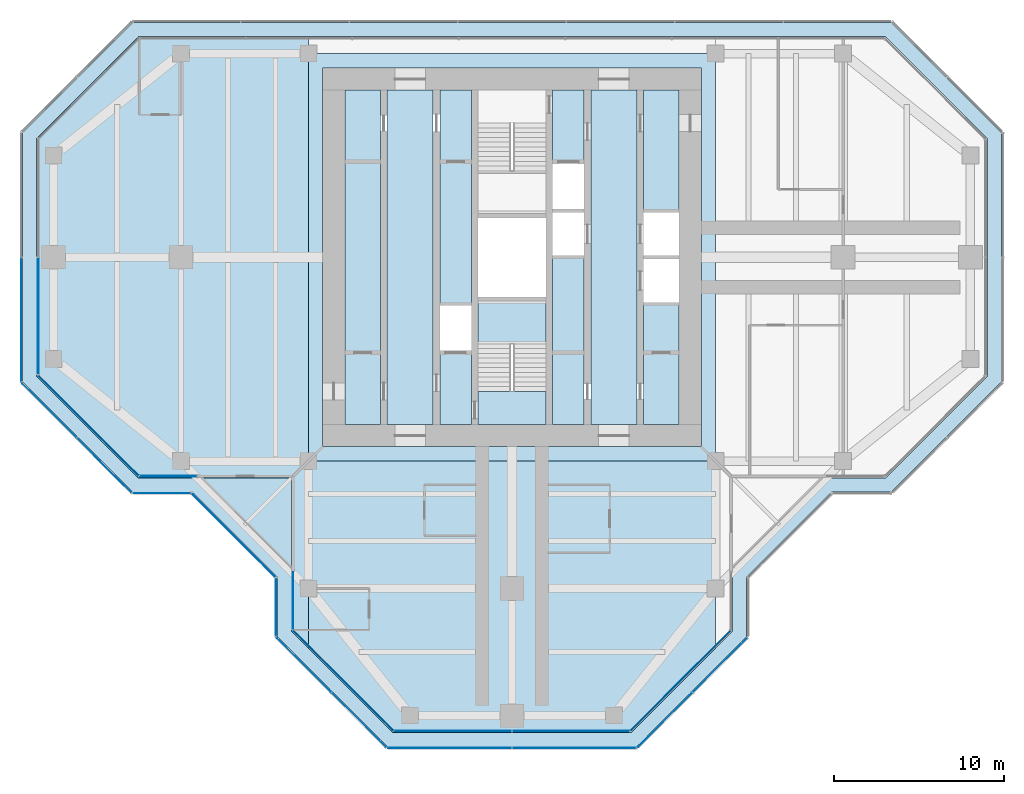
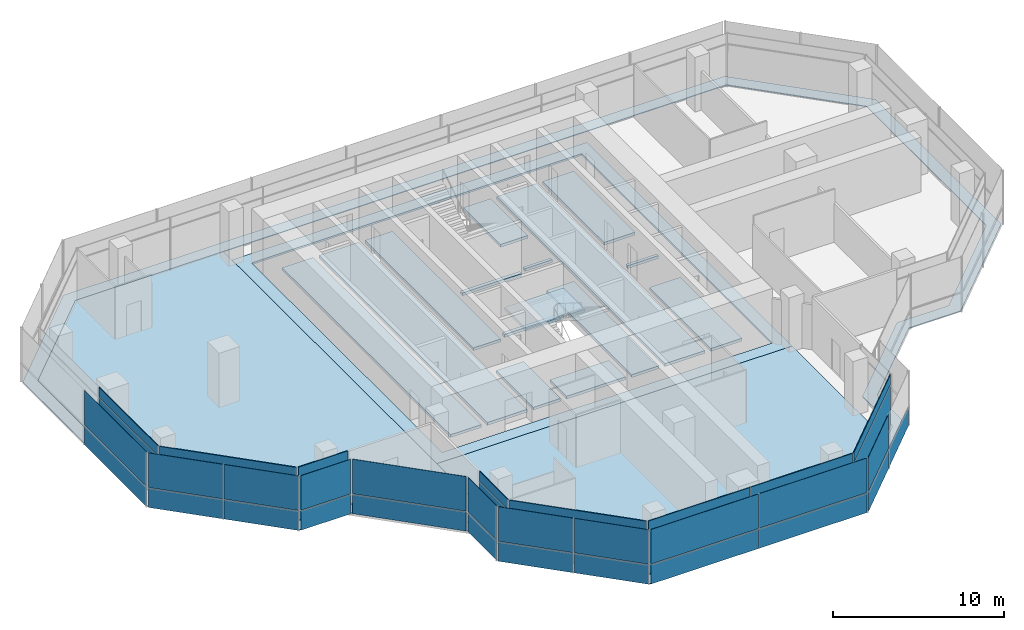
# One storey, part 9 of 15: 40 plates, 7 slabs, 16 elements without a shape of their own.
"""IFC4 building model written with IfcOpenShell, lengths in metres."""

from ifc_helpers import new_model, si_unit, direction, frame, origin, origin_2d, place, context, subcontext, project, spatial, polyline, rectangle, outline, extrude, material, layer, layer_set, type_object, element, aggregate, save


model = new_model("IFC4")

# Units and contexts
model_context = context("Model", 3, precision=1e-05, world=origin(), true_north=direction((0.0, 1.0)))
body_context = subcontext(model_context, "Body", "Model", "MODEL_VIEW")
ifc_project = project(units=[si_unit("LENGTHUNIT", "METRE"), si_unit("AREAUNIT", "SQUARE_METRE"), si_unit("VOLUMEUNIT", "CUBIC_METRE"), si_unit("PLANEANGLEUNIT", "RADIAN"), si_unit("MASSUNIT", "GRAM", prefix="KILO")], contexts=[model_context])

# Site, building, storey
site_placement = place(None, origin())
site = spatial("IfcSite", under=ifc_project, at=site_placement, CompositionType="ELEMENT")
building_placement = place(site_placement, origin())
building = spatial("IfcBuilding", under=site, at=building_placement, Name="Mizan Broadcast Tower", CompositionType="ELEMENT")
storey_placement = place(building_placement, frame((0.0, 0.0, 271.199951171875)))
storey = spatial("IfcBuildingStorey", under=building, at=storey_placement, Name="L64", CompositionType="ELEMENT", Elevation=271.199951171875)

# Plate
ifc_material_1 = material(Name="Aluminium grating", Category="aluminium")
ifc_layer_1 = layer(ifc_material_1, 0.050048828125)
ifc_layer_set_1 = layer_set([ifc_layer_1], Name="Aluminium grating")
plate_type_1 = type_object("IfcPlateType", Name="CAVITY GRATING", PredefinedType="USERDEFINED", material=ifc_layer_set_1)
plate_1_placement = place(storey_placement, frame((0.0, 0.0, -0.050048828125)))
element("IfcPlate", 1, at=plate_1_placement, inside=storey, type_object=plate_type_1, Name="Cavity grating L64", ObjectType="GRATING", PredefinedType="USERDEFINED", context=body_context, shape_type="SweptSolid", body=[
    extrude(outline(polyline([(-22.339599609375, 13.820068359375), (-28.820068359375, 7.339599609375), (-28.820068359375, -7.339599609375), (-22.339599609375, -13.820068359375), (-18.839599609375, -13.820068359375), (-13.820068359375, -18.839599609375), (-13.820068359375, -22.339599609375), (-7.339599609375, -28.820068359375), (7.339599609375, -28.820068359375), (13.820068359375, -22.339599609375), (13.820068359375, -18.839599609375), (18.839599609375, -13.820068359375), (22.339599609375, -13.820068359375), (28.820068359375, -7.339599609375), (28.820068359375, 7.339599609375), (22.339599609375, 13.820068359375), (-22.339599609375, 13.820068359375)]), holes=[polyline([(-18.5, -13.0), (-22.0, -13.0), (-28.0, -7.0), (-28.0, 7.0), (-22.0, 13.0), (22.0, 13.0), (28.0, 7.0), (28.0, -7.0), (22.0, -13.0), (18.5, -13.0), (13.0, -18.5), (13.0, -22.0), (7.0, -28.0), (-7.0, -28.0), (-13.0, -22.0), (-13.0, -18.5), (-18.5, -13.0)])]), origin(), (0.0, 0.0, 1.0), 0.050048828125),
])

# Slabs
ifc_material_2 = material(Name="Concrete C32/40", Category="concrete")
ifc_layer_2 = layer(ifc_material_2, 0.1298828125)
ifc_layer_set_2 = layer_set([ifc_layer_2], Name="Concrete C32/40")
slab_type_1 = type_object("IfcSlabType", Name="COMPOSITE DECK SLAB 130", PredefinedType="FLOOR", material=ifc_layer_set_2)
slab_1_placement = place(storey_placement, frame((0.0, 0.0, -0.1298828125)))
element("IfcSlab", 2, at=slab_1_placement, inside=storey, type_object=slab_type_1, Name="Floor slab L64 centre", PredefinedType="FLOOR", context=body_context, shape_type="SweptSolid", body=[
    extrude(outline(polyline([(-12.0, -12.0), (12.0, -12.0), (12.0, 12.0), (-12.0, 12.0), (-12.0, -12.0)]), holes=[polyline([(-11.14990234375, 11.14990234375), (11.14990234375, 11.14990234375), (11.14990234375, -11.14990234375), (-11.14990234375, -11.14990234375), (-11.14990234375, 11.14990234375)])]), origin(), (0.0, 0.0, 1.0), 0.1298828125),
])
slab_2_placement = place(storey_placement, frame((0.0, 0.0, -0.1298828125)))
element("IfcSlab", 3, at=slab_2_placement, inside=storey, type_object=slab_type_1, Name="Floor slab L64 west arm", PredefinedType="FLOOR", context=body_context, shape_type="SweptSolid", body=[
    extrude(outline(polyline([(-13.0, -22.0), (-12.0, -23.0), (-12.0, 13.0), (-13.0, 13.0), (-22.0, 13.0), (-28.0, 7.0), (-28.0, -7.0), (-22.0, -13.0), (-13.0, -13.0), (-13.0, -22.0)])), origin(), (0.0, 0.0, 1.0), 0.1298828125),
])
slab_3_placement = place(storey_placement, frame((0.0, 0.0, -0.1298828125)))
element("IfcSlab", 4, at=slab_3_placement, inside=storey, type_object=slab_type_1, Name="Floor slab L64 south arm", PredefinedType="FLOOR", context=body_context, shape_type="SweptSolid", body=[
    extrude(outline(polyline([(7.0, -28.0), (12.0, -23.0), (12.0, -12.0), (-12.0, -12.0), (-12.0, -23.0), (-7.0, -28.0), (7.0, -28.0)])), origin(), (0.0, 0.0, 1.0), 0.1298828125),
])
ifc_material_3 = material(Name="Concrete C40/50", Category="concrete")
ifc_layer_3 = layer(ifc_material_3, 0.199951171875)
ifc_layer_set_3 = layer_set([ifc_layer_3], Name="Concrete C40/50")
slab_type_2 = type_object("IfcSlabType", Name="CORE FLOOR 200", PredefinedType="FLOOR", material=ifc_layer_set_3)
slab_4_placement = place(storey_placement, frame((0.0, 0.0, -0.199951171875)))
element("IfcSlab", 5, at=slab_4_placement, inside=storey, type_object=slab_type_2, Name="Core floor L64", PredefinedType="FLOOR", context=body_context, shape_type="SweptSolid", body=[
    extrude(outline(polyline([(-9.85009765625, -9.85009765625), (-7.75, -9.85009765625), (-7.75, 9.85009765625), (-9.85009765625, 9.85009765625), (-9.85009765625, -9.85009765625)])), origin(), (0.0, 0.0, 1.0), 0.199951171875),
    extrude(outline(polyline([(-4.64990234375, 9.85009765625), (-7.35009765625, 9.85009765625), (-7.35009765625, -9.85009765625), (-4.64990234375, -9.85009765625), (-4.64990234375, 9.85009765625)])), origin(), (0.0, 0.0, 1.0), 0.199951171875),
    extrude(outline(polyline([(-4.25, -5.5), (-4.25, -9.85009765625), (-2.39990234375, -9.85009765625), (-2.39990234375, -5.5), (-4.25, -5.5)])), origin(), (0.0, 0.0, 1.0), 0.199951171875),
    extrude(outline(polyline([(-4.25, -2.85009765625), (-2.39990234375, -2.85009765625), (-2.39990234375, 9.85009765625), (-4.25, 9.85009765625), (-4.25, -2.85009765625)])), origin(), (0.0, 0.0, 1.0), 0.199951171875),
    extrude(outline(polyline([(2.0, -2.324951171875), (-2.0, -2.324951171875), (-2.0, -2.574951171875), (2.0, -2.574951171875), (2.0, -2.324951171875)])), origin(), (0.0, 0.0, 1.0), 0.199951171875),
    extrude(outline(polyline([(2.0, 2.574951171875), (-2.0, 2.574951171875), (-2.0, 2.324951171875), (2.0, 2.324951171875), (2.0, 2.574951171875)])), origin(), (0.0, 0.0, 1.0), 0.199951171875),
    extrude(outline(polyline([(4.25, -9.85009765625), (4.25, 0.10009765625), (2.39990234375, 0.10009765625), (2.39990234375, -9.85009765625), (4.25, -9.85009765625)])), origin(), (0.0, 0.0, 1.0), 0.199951171875),
    extrude(outline(polyline([(4.25, 2.64990234375), (4.25, 2.85009765625), (2.39990234375, 2.85009765625), (2.39990234375, 2.64990234375), (4.25, 2.64990234375)])), origin(), (0.0, 0.0, 1.0), 0.199951171875),
    extrude(outline(polyline([(4.25, 5.5), (4.25, 9.85009765625), (2.39990234375, 9.85009765625), (2.39990234375, 5.5), (4.25, 5.5)])), origin(), (0.0, 0.0, 1.0), 0.199951171875),
    extrude(outline(polyline([(4.64990234375, 9.85009765625), (4.64990234375, -9.85009765625), (7.35009765625, -9.85009765625), (7.35009765625, 9.85009765625), (4.64990234375, 9.85009765625)])), origin(), (0.0, 0.0, 1.0), 0.199951171875),
    extrude(outline(polyline([(9.85009765625, -9.85009765625), (9.85009765625, -2.64990234375), (7.75, -2.64990234375), (7.75, -9.85009765625), (9.85009765625, -9.85009765625)])), origin(), (0.0, 0.0, 1.0), 0.199951171875),
    extrude(outline(polyline([(9.85009765625, -0.10009765625), (9.85009765625, 0.10009765625), (7.75, 0.10009765625), (7.75, -0.10009765625), (9.85009765625, -0.10009765625)])), origin(), (0.0, 0.0, 1.0), 0.199951171875),
    extrude(outline(polyline([(7.75, 9.85009765625), (7.75, 2.64990234375), (9.85009765625, 2.64990234375), (9.85009765625, 9.85009765625), (7.75, 9.85009765625)])), origin(), (0.0, 0.0, 1.0), 0.199951171875),
])

# Curtain wall, plate
ifc_material_4 = material(Name="Aluminium framed glazing", Category="aluminium")
curtain_wall_type_1 = type_object("IfcCurtainWallType", Name="INNER SKIN TOP ZONE", PredefinedType="USERDEFINED", material=ifc_material_4)
curtain_wall_1_placement = place(storey_placement, origin())
curtain_wall_1 = element("IfcCurtainWall", 6, at=curtain_wall_1_placement, inside=storey, type_object=curtain_wall_type_1, Name="Inner skin top zone L64 W end", ObjectType="INNER SKIN TOP ZONE", PredefinedType="USERDEFINED")
ifc_material_5 = material(Name="Double glazing, clear low-e", Category="glass")
ifc_layer_4 = layer(ifc_material_5, 0.028076171875)
ifc_layer_set_4 = layer_set([ifc_layer_4], Name="Double glazing, clear low-e")
plate_type_2 = type_object("IfcPlateType", Name="INNER SKIN GLAZING UNIT", PredefinedType="CURTAIN_PANEL", material=ifc_layer_set_4)
plate_2_placement = place(storey_placement, frame((-27.89990234375, -3.46435546875, 0.0), z_axis=(0.0, 0.0, 1.0), x_axis=(0.0, -1.0, 0.0)))
plate_2 = element("IfcPlate", 7, at=plate_2_placement, type_object=plate_type_2, Name="Inner skin top zone L64 W end panel 2.1", PredefinedType="CURTAIN_PANEL", context=body_context, shape_type="SweptSolid", body=[
    extrude(rectangle(XDim=6.86865234375, YDim=0.028076171875, at=origin_2d()), origin(), (0.0, 0.0, 1.0), 3.0),
])

curtain_wall_2_placement = place(storey_placement, origin())
curtain_wall_2 = element("IfcCurtainWall", 8, at=curtain_wall_2_placement, inside=storey, type_object=curtain_wall_type_1, Name="Inner skin top zone L64 W chamfer", ObjectType="INNER SKIN TOP ZONE", PredefinedType="USERDEFINED")
plate_3_placement = place(storey_placement, frame((-24.92919921875, -9.92919921875, 0.0), z_axis=(0.0, 0.0, 1.0), x_axis=(0.707106781187, -0.707106781187, 0.0)))
plate_3 = element("IfcPlate", 9, at=plate_3_placement, type_object=plate_type_2, Name="Inner skin top zone L64 W chamfer panel 1.1", PredefinedType="CURTAIN_PANEL", context=body_context, shape_type="SweptSolid", body=[
    extrude(rectangle(XDim=8.282470703125, YDim=0.028076171875, at=origin_2d()), origin(), (0.0, 0.0, 1.0), 3.0),
])

curtain_wall_3_placement = place(storey_placement, origin())
curtain_wall_3 = element("IfcCurtainWall", 10, at=curtain_wall_3_placement, inside=storey, type_object=curtain_wall_type_1, Name="Inner skin top zone L64 W side", ObjectType="INNER SKIN TOP ZONE", PredefinedType="USERDEFINED")
plate_4_placement = place(storey_placement, frame((-20.229248046875, -12.89990234375, 0.0), z_axis=(0.0, 0.0, 1.0), x_axis=(1.0, 0.0, 0.0)))
plate_4 = element("IfcPlate", 11, at=plate_4_placement, type_object=plate_type_2, Name="Inner skin top zone L64 W side panel 1.1", PredefinedType="CURTAIN_PANEL", context=body_context, shape_type="SweptSolid", body=[
    extrude(rectangle(XDim=3.338623046875, YDim=0.028076171875, at=origin_2d()), origin(), (0.0, 0.0, 1.0), 3.0),
])

curtain_wall_4_placement = place(storey_placement, origin())
curtain_wall_4 = element("IfcCurtainWall", 12, at=curtain_wall_4_placement, inside=storey, type_object=curtain_wall_type_1, Name="Inner skin top zone L64 S side", ObjectType="INNER SKIN TOP ZONE", PredefinedType="USERDEFINED")
plate_5_placement = place(storey_placement, frame((-12.89990234375, -20.229248046875, 0.0), z_axis=(0.0, 0.0, 1.0), x_axis=(0.0, -1.0, 0.0)))
plate_5 = element("IfcPlate", 13, at=plate_5_placement, type_object=plate_type_2, Name="Inner skin top zone L64 S side panel 1.1", PredefinedType="CURTAIN_PANEL", context=body_context, shape_type="SweptSolid", body=[
    extrude(rectangle(XDim=3.338623046875, YDim=0.028076171875, at=origin_2d()), origin(), (0.0, 0.0, 1.0), 3.0),
])

curtain_wall_5_placement = place(storey_placement, origin())
curtain_wall_5 = element("IfcCurtainWall", 14, at=curtain_wall_5_placement, inside=storey, type_object=curtain_wall_type_1, Name="Inner skin top zone L64 S chamfer", ObjectType="INNER SKIN TOP ZONE", PredefinedType="USERDEFINED")
plate_6_placement = place(storey_placement, frame((-9.92919921875, -24.92919921875, 0.0), z_axis=(0.0, 0.0, 1.0), x_axis=(0.707106781187, -0.707106781187, 0.0)))
plate_6 = element("IfcPlate", 15, at=plate_6_placement, type_object=plate_type_2, Name="Inner skin top zone L64 S chamfer panel 1.1", PredefinedType="CURTAIN_PANEL", context=body_context, shape_type="SweptSolid", body=[
    extrude(rectangle(XDim=8.282470703125, YDim=0.028076171875, at=origin_2d()), origin(), (0.0, 0.0, 1.0), 3.0),
])

# Curtain wall, plates
curtain_wall_6_placement = place(storey_placement, origin())
curtain_wall_6 = element("IfcCurtainWall", 16, at=curtain_wall_6_placement, inside=storey, type_object=curtain_wall_type_1, Name="Inner skin top zone L64 S end", ObjectType="INNER SKIN TOP ZONE", PredefinedType="USERDEFINED")
plate_7_placement = place(storey_placement, frame((-3.46435546875, -27.89990234375, 0.0), z_axis=(0.0, 0.0, 1.0), x_axis=(1.0, 0.0, 0.0)))
plate_7 = element("IfcPlate", 17, at=plate_7_placement, type_object=plate_type_2, Name="Inner skin top zone L64 S end panel 1.1", PredefinedType="CURTAIN_PANEL", context=body_context, shape_type="SweptSolid", body=[
    extrude(rectangle(XDim=6.86865234375, YDim=0.028076171875, at=origin_2d()), origin(), (0.0, 0.0, 1.0), 3.0),
])
plate_8_placement = place(storey_placement, frame((3.46435546875, -27.89990234375, 0.0), z_axis=(0.0, 0.0, 1.0), x_axis=(1.0, 0.0, 0.0)))
plate_8 = element("IfcPlate", 18, at=plate_8_placement, type_object=plate_type_2, Name="Inner skin top zone L64 S end panel 2.1", PredefinedType="CURTAIN_PANEL", context=body_context, shape_type="SweptSolid", body=[
    extrude(rectangle(XDim=6.86865234375, YDim=0.028076171875, at=origin_2d()), origin(), (0.0, 0.0, 1.0), 3.0),
])

# Curtain wall, plate
curtain_wall_7_placement = place(storey_placement, origin())
curtain_wall_7 = element("IfcCurtainWall", 19, at=curtain_wall_7_placement, inside=storey, type_object=curtain_wall_type_1, Name="Inner skin top zone L64 S chamfer", ObjectType="INNER SKIN TOP ZONE", PredefinedType="USERDEFINED")
plate_9_placement = place(storey_placement, frame((9.92919921875, -24.92919921875, 0.0), z_axis=(0.0, 0.0, 1.0), x_axis=(0.707106781187, 0.707106781187, 0.0)))
plate_9 = element("IfcPlate", 20, at=plate_9_placement, type_object=plate_type_2, Name="Inner skin top zone L64 S chamfer panel 1.1", PredefinedType="CURTAIN_PANEL", context=body_context, shape_type="SweptSolid", body=[
    extrude(rectangle(XDim=8.282470703125, YDim=0.028076171875, at=origin_2d()), origin(), (0.0, 0.0, 1.0), 3.0),
])

# Plate
ifc_material_6 = material(Name="Insulated aluminium spandrel panel, pale anodised", Category="aluminium")
ifc_layer_5 = layer(ifc_material_6, 0.050048828125)
ifc_layer_set_5 = layer_set([ifc_layer_5], Name="Insulated aluminium spandrel panel, pale anodised")
plate_type_3 = type_object("IfcPlateType", Name="INNER SKIN SPANDREL PANEL", PredefinedType="CURTAIN_PANEL", material=ifc_layer_set_5)
plate_10_placement = place(storey_placement, frame((-27.89990234375, -3.46435546875, 3.06005859375), z_axis=(0.0, 0.0, 1.0), x_axis=(0.0, -1.0, 0.0)))
plate_10 = element("IfcPlate", 21, at=plate_10_placement, type_object=plate_type_3, Name="Inner skin top zone L64 W end panel 2.2", PredefinedType="CURTAIN_PANEL", context=body_context, shape_type="SweptSolid", body=[
    extrude(rectangle(XDim=6.86865234375, YDim=0.050048828125, at=origin_2d()), origin(), (0.0, 0.0, 1.0), 0.7099609375),
])

aggregate(curtain_wall_1, [plate_2, plate_10])

plate_11_placement = place(storey_placement, frame((-24.92919921875, -9.92919921875, 3.06005859375), z_axis=(0.0, 0.0, 1.0), x_axis=(0.707106781187, -0.707106781187, 0.0)))
plate_11 = element("IfcPlate", 22, at=plate_11_placement, type_object=plate_type_3, Name="Inner skin top zone L64 W chamfer panel 1.2", PredefinedType="CURTAIN_PANEL", context=body_context, shape_type="SweptSolid", body=[
    extrude(rectangle(XDim=8.282470703125, YDim=0.050048828125, at=origin_2d()), origin(), (0.0, 0.0, 1.0), 0.7099609375),
])

aggregate(curtain_wall_2, [plate_3, plate_11])

plate_12_placement = place(storey_placement, frame((-20.229248046875, -12.89990234375, 3.06005859375), z_axis=(0.0, 0.0, 1.0), x_axis=(1.0, 0.0, 0.0)))
plate_12 = element("IfcPlate", 23, at=plate_12_placement, type_object=plate_type_3, Name="Inner skin top zone L64 W side panel 1.2", PredefinedType="CURTAIN_PANEL", context=body_context, shape_type="SweptSolid", body=[
    extrude(rectangle(XDim=3.338623046875, YDim=0.050048828125, at=origin_2d()), origin(), (0.0, 0.0, 1.0), 0.7099609375),
])

aggregate(curtain_wall_3, [plate_4, plate_12])

plate_13_placement = place(storey_placement, frame((-12.89990234375, -20.229248046875, 3.06005859375), z_axis=(0.0, 0.0, 1.0), x_axis=(0.0, -1.0, 0.0)))
plate_13 = element("IfcPlate", 24, at=plate_13_placement, type_object=plate_type_3, Name="Inner skin top zone L64 S side panel 1.2", PredefinedType="CURTAIN_PANEL", context=body_context, shape_type="SweptSolid", body=[
    extrude(rectangle(XDim=3.338623046875, YDim=0.050048828125, at=origin_2d()), origin(), (0.0, 0.0, 1.0), 0.7099609375),
])

aggregate(curtain_wall_4, [plate_5, plate_13])

plate_14_placement = place(storey_placement, frame((-9.92919921875, -24.92919921875, 3.06005859375), z_axis=(0.0, 0.0, 1.0), x_axis=(0.707106781187, -0.707106781187, 0.0)))
plate_14 = element("IfcPlate", 25, at=plate_14_placement, type_object=plate_type_3, Name="Inner skin top zone L64 S chamfer panel 1.2", PredefinedType="CURTAIN_PANEL", context=body_context, shape_type="SweptSolid", body=[
    extrude(rectangle(XDim=8.282470703125, YDim=0.050048828125, at=origin_2d()), origin(), (0.0, 0.0, 1.0), 0.7099609375),
])

aggregate(curtain_wall_5, [plate_6, plate_14])

plate_15_placement = place(storey_placement, frame((-3.46435546875, -27.89990234375, 3.06005859375), z_axis=(0.0, 0.0, 1.0), x_axis=(1.0, 0.0, 0.0)))
plate_15 = element("IfcPlate", 26, at=plate_15_placement, type_object=plate_type_3, Name="Inner skin top zone L64 S end panel 1.2", PredefinedType="CURTAIN_PANEL", context=body_context, shape_type="SweptSolid", body=[
    extrude(rectangle(XDim=6.86865234375, YDim=0.050048828125, at=origin_2d()), origin(), (0.0, 0.0, 1.0), 0.7099609375),
])

plate_16_placement = place(storey_placement, frame((3.46435546875, -27.89990234375, 3.06005859375), z_axis=(0.0, 0.0, 1.0), x_axis=(1.0, 0.0, 0.0)))
plate_16 = element("IfcPlate", 27, at=plate_16_placement, type_object=plate_type_3, Name="Inner skin top zone L64 S end panel 2.2", PredefinedType="CURTAIN_PANEL", context=body_context, shape_type="SweptSolid", body=[
    extrude(rectangle(XDim=6.86865234375, YDim=0.050048828125, at=origin_2d()), origin(), (0.0, 0.0, 1.0), 0.7099609375),
])

aggregate(curtain_wall_6, [plate_7, plate_15, plate_8, plate_16])

plate_17_placement = place(storey_placement, frame((9.92919921875, -24.92919921875, 3.06005859375), z_axis=(0.0, 0.0, 1.0), x_axis=(0.707106781187, 0.707106781187, 0.0)))
plate_17 = element("IfcPlate", 28, at=plate_17_placement, type_object=plate_type_3, Name="Inner skin top zone L64 S chamfer panel 1.2", PredefinedType="CURTAIN_PANEL", context=body_context, shape_type="SweptSolid", body=[
    extrude(rectangle(XDim=8.282470703125, YDim=0.050048828125, at=origin_2d()), origin(), (0.0, 0.0, 1.0), 0.7099609375),
])

aggregate(curtain_wall_7, [plate_9, plate_17])

# Curtain wall, plates
ifc_material_7 = material(Name="Aluminium framed glazing", Category="aluminium")
curtain_wall_type_2 = type_object("IfcCurtainWallType", Name="OUTER SKIN", PredefinedType="USERDEFINED", material=ifc_material_7)
curtain_wall_8_placement = place(storey_placement, origin())
curtain_wall_8 = element("IfcCurtainWall", 29, at=curtain_wall_8_placement, inside=storey, type_object=curtain_wall_type_2, Name="Outer skin L64 W chamfer", ObjectType="OUTER SKIN", PredefinedType="USERDEFINED")
ifc_material_8 = material(Name="Laminated clear glass", Category="glass")
ifc_layer_6 = layer(ifc_material_8, 0.02001953125)
ifc_layer_set_6 = layer_set([ifc_layer_6], Name="Laminated clear glass")
plate_type_4 = type_object("IfcPlateType", Name="OUTER SKIN CLEAR GLASS", PredefinedType="CURTAIN_PANEL", material=ifc_layer_set_6)
plate_18_placement = place(storey_placement, frame((-27.254150390625, -9.018798828125, 0.0), z_axis=(0.0, 0.0, 1.0), x_axis=(0.707106781187, -0.707106781187, 0.0)))
plate_18 = element("IfcPlate", 30, at=plate_18_placement, type_object=plate_type_4, Name="Outer skin L64 W chamfer panel 1.1", PredefinedType="CURTAIN_PANEL", context=body_context, shape_type="SweptSolid", body=[
    extrude(rectangle(XDim=4.495361328125, YDim=0.02001953125, at=origin_2d()), origin(), (0.0, 0.0, 1.0), 1.3701171875),
])
plate_19_placement = place(storey_placement, frame((-27.254150390625, -9.018798828125, 1.43017578125), z_axis=(0.0, 0.0, 1.0), x_axis=(0.707106781187, -0.707106781187, 0.0)))
plate_19 = element("IfcPlate", 31, at=plate_19_placement, type_object=plate_type_4, Name="Outer skin L64 W chamfer panel 1.2", PredefinedType="CURTAIN_PANEL", context=body_context, shape_type="SweptSolid", body=[
    extrude(rectangle(XDim=4.495361328125, YDim=0.02001953125, at=origin_2d()), origin(), (0.0, 0.0, 1.0), 2.469970703125),
])

curtain_wall_9_placement = place(storey_placement, origin())
curtain_wall_9 = element("IfcCurtainWall", 32, at=curtain_wall_9_placement, inside=storey, type_object=curtain_wall_type_2, Name="Outer skin L64 W side", ObjectType="OUTER SKIN", PredefinedType="USERDEFINED")
plate_20_placement = place(storey_placement, frame((-20.622802734375, -13.89990234375, 0.0), z_axis=(0.0, 0.0, 1.0), x_axis=(1.0, 0.0, 0.0)))
plate_20 = element("IfcPlate", 33, at=plate_20_placement, type_object=plate_type_4, Name="Outer skin L64 W side panel 1.1", PredefinedType="CURTAIN_PANEL", context=body_context, shape_type="SweptSolid", body=[
    extrude(rectangle(XDim=3.340087890625, YDim=0.02001953125, at=origin_2d()), origin(), (0.0, 0.0, 1.0), 1.3701171875),
])
plate_21_placement = place(storey_placement, frame((-20.622802734375, -13.89990234375, 1.43017578125), z_axis=(0.0, 0.0, 1.0), x_axis=(1.0, 0.0, 0.0)))
plate_21 = element("IfcPlate", 34, at=plate_21_placement, type_object=plate_type_4, Name="Outer skin L64 W side panel 1.2", PredefinedType="CURTAIN_PANEL", context=body_context, shape_type="SweptSolid", body=[
    extrude(rectangle(XDim=3.340087890625, YDim=0.02001953125, at=origin_2d()), origin(), (0.0, 0.0, 1.0), 2.469970703125),
])
aggregate(curtain_wall_9, [plate_20, plate_21])

curtain_wall_10_placement = place(storey_placement, origin())
curtain_wall_10 = element("IfcCurtainWall", 35, at=curtain_wall_10_placement, inside=storey, type_object=curtain_wall_type_2, Name="Outer skin L64 W chamfer", ObjectType="OUTER SKIN", PredefinedType="USERDEFINED")
plate_22_placement = place(storey_placement, frame((-16.386474609375, -16.386474609375, 0.0), z_axis=(0.0, 0.0, 1.0), x_axis=(0.707106781187, -0.707106781187, 0.0)))
plate_22 = element("IfcPlate", 36, at=plate_22_placement, type_object=plate_type_4, Name="Outer skin L64 W chamfer panel 1.1", PredefinedType="CURTAIN_PANEL", context=body_context, shape_type="SweptSolid", body=[
    extrude(rectangle(XDim=6.87255859375, YDim=0.02001953125, at=origin_2d()), origin(), (0.0, 0.0, 1.0), 1.3701171875),
])
plate_23_placement = place(storey_placement, frame((-16.386474609375, -16.386474609375, 1.43017578125), z_axis=(0.0, 0.0, 1.0), x_axis=(0.707106781187, -0.707106781187, 0.0)))
plate_23 = element("IfcPlate", 37, at=plate_23_placement, type_object=plate_type_4, Name="Outer skin L64 W chamfer panel 1.2", PredefinedType="CURTAIN_PANEL", context=body_context, shape_type="SweptSolid", body=[
    extrude(rectangle(XDim=6.87255859375, YDim=0.02001953125, at=origin_2d()), origin(), (0.0, 0.0, 1.0), 2.469970703125),
])
aggregate(curtain_wall_10, [plate_22, plate_23])

curtain_wall_11_placement = place(storey_placement, origin())
curtain_wall_11 = element("IfcCurtainWall", 38, at=curtain_wall_11_placement, inside=storey, type_object=curtain_wall_type_2, Name="Outer skin L64 S side", ObjectType="OUTER SKIN", PredefinedType="USERDEFINED")
plate_24_placement = place(storey_placement, frame((-13.89990234375, -20.622802734375, 0.0), z_axis=(0.0, 0.0, 1.0), x_axis=(0.0, -1.0, 0.0)))
plate_24 = element("IfcPlate", 39, at=plate_24_placement, type_object=plate_type_4, Name="Outer skin L64 S side panel 1.1", PredefinedType="CURTAIN_PANEL", context=body_context, shape_type="SweptSolid", body=[
    extrude(rectangle(XDim=3.340087890625, YDim=0.02001953125, at=origin_2d()), origin(), (0.0, 0.0, 1.0), 1.3701171875),
])
plate_25_placement = place(storey_placement, frame((-13.89990234375, -20.622802734375, 1.43017578125), z_axis=(0.0, 0.0, 1.0), x_axis=(0.0, -1.0, 0.0)))
plate_25 = element("IfcPlate", 40, at=plate_25_placement, type_object=plate_type_4, Name="Outer skin L64 S side panel 1.2", PredefinedType="CURTAIN_PANEL", context=body_context, shape_type="SweptSolid", body=[
    extrude(rectangle(XDim=3.340087890625, YDim=0.02001953125, at=origin_2d()), origin(), (0.0, 0.0, 1.0), 2.469970703125),
])
aggregate(curtain_wall_11, [plate_24, plate_25])

curtain_wall_12_placement = place(storey_placement, origin())
curtain_wall_12 = element("IfcCurtainWall", 41, at=curtain_wall_12_placement, inside=storey, type_object=curtain_wall_type_2, Name="Outer skin L64 S chamfer", ObjectType="OUTER SKIN", PredefinedType="USERDEFINED")
plate_26_placement = place(storey_placement, frame((-12.254150390625, -24.018798828125, 0.0), z_axis=(0.0, 0.0, 1.0), x_axis=(0.707106781187, -0.707106781187, 0.0)))
plate_26 = element("IfcPlate", 42, at=plate_26_placement, type_object=plate_type_4, Name="Outer skin L64 S chamfer panel 1.1", PredefinedType="CURTAIN_PANEL", context=body_context, shape_type="SweptSolid", body=[
    extrude(rectangle(XDim=4.495361328125, YDim=0.02001953125, at=origin_2d()), origin(), (0.0, 0.0, 1.0), 1.3701171875),
])
plate_27_placement = place(storey_placement, frame((-12.254150390625, -24.018798828125, 1.43017578125), z_axis=(0.0, 0.0, 1.0), x_axis=(0.707106781187, -0.707106781187, 0.0)))
plate_27 = element("IfcPlate", 43, at=plate_27_placement, type_object=plate_type_4, Name="Outer skin L64 S chamfer panel 1.2", PredefinedType="CURTAIN_PANEL", context=body_context, shape_type="SweptSolid", body=[
    extrude(rectangle(XDim=4.495361328125, YDim=0.02001953125, at=origin_2d()), origin(), (0.0, 0.0, 1.0), 2.469970703125),
])

curtain_wall_13_placement = place(storey_placement, origin())
curtain_wall_13 = element("IfcCurtainWall", 44, at=curtain_wall_13_placement, inside=storey, type_object=curtain_wall_type_2, Name="Outer skin L64 S end", ObjectType="OUTER SKIN", PredefinedType="USERDEFINED")
plate_28_placement = place(storey_placement, frame((-3.66650390625, -28.89990234375, 0.0), z_axis=(0.0, 0.0, 1.0), x_axis=(1.0, 0.0, 0.0)))
plate_28 = element("IfcPlate", 45, at=plate_28_placement, type_object=plate_type_4, Name="Outer skin L64 S end panel 1.1", PredefinedType="CURTAIN_PANEL", context=body_context, shape_type="SweptSolid", body=[
    extrude(rectangle(XDim=7.252685546875, YDim=0.02001953125, at=origin_2d()), origin(), (0.0, 0.0, 1.0), 1.3701171875),
])
plate_29_placement = place(storey_placement, frame((-3.66650390625, -28.89990234375, 1.43017578125), z_axis=(0.0, 0.0, 1.0), x_axis=(1.0, 0.0, 0.0)))
plate_29 = element("IfcPlate", 46, at=plate_29_placement, type_object=plate_type_4, Name="Outer skin L64 S end panel 1.2", PredefinedType="CURTAIN_PANEL", context=body_context, shape_type="SweptSolid", body=[
    extrude(rectangle(XDim=7.252685546875, YDim=0.02001953125, at=origin_2d()), origin(), (0.0, 0.0, 1.0), 2.469970703125),
])

curtain_wall_14_placement = place(storey_placement, origin())
curtain_wall_14 = element("IfcCurtainWall", 47, at=curtain_wall_14_placement, inside=storey, type_object=curtain_wall_type_2, Name="Outer skin L64 S chamfer", ObjectType="OUTER SKIN", PredefinedType="USERDEFINED")
plate_30_placement = place(storey_placement, frame((9.018798828125, -27.254150390625, 0.0), z_axis=(0.0, 0.0, 1.0), x_axis=(0.707106781187, 0.707106781187, 0.0)))
plate_30 = element("IfcPlate", 48, at=plate_30_placement, type_object=plate_type_4, Name="Outer skin L64 S chamfer panel 1.1", PredefinedType="CURTAIN_PANEL", context=body_context, shape_type="SweptSolid", body=[
    extrude(rectangle(XDim=4.495361328125, YDim=0.02001953125, at=origin_2d()), origin(), (0.0, 0.0, 1.0), 1.3701171875),
])
plate_31_placement = place(storey_placement, frame((9.018798828125, -27.254150390625, 1.43017578125), z_axis=(0.0, 0.0, 1.0), x_axis=(0.707106781187, 0.707106781187, 0.0)))
plate_31 = element("IfcPlate", 49, at=plate_31_placement, type_object=plate_type_4, Name="Outer skin L64 S chamfer panel 1.2", PredefinedType="CURTAIN_PANEL", context=body_context, shape_type="SweptSolid", body=[
    extrude(rectangle(XDim=4.495361328125, YDim=0.02001953125, at=origin_2d()), origin(), (0.0, 0.0, 1.0), 2.469970703125),
])

# Plate
ifc_material_9 = material(Name="Perforated aluminium, pale anodised", Category="aluminium")
ifc_layer_7 = layer(ifc_material_9, 0.011962890625)
ifc_layer_set_7 = layer_set([ifc_layer_7], Name="Perforated aluminium, pale anodised")
plate_type_5 = type_object("IfcPlateType", Name="OUTER SKIN PERFORATED SCREEN", PredefinedType="USERDEFINED", material=ifc_layer_set_7)
plate_32_placement = place(storey_placement, frame((-24.018798828125, -12.254150390625, 0.0), z_axis=(0.0, 0.0, 1.0), x_axis=(0.707106781187, -0.707106781187, 0.0)))
plate_32 = element("IfcPlate", 50, at=plate_32_placement, type_object=plate_type_5, Name="Outer skin L64 W chamfer panel 2.1", ObjectType="SCREEN", PredefinedType="USERDEFINED", context=body_context, shape_type="SweptSolid", body=[
    extrude(rectangle(XDim=4.495361328125, YDim=0.011962890625, at=origin_2d()), origin(), (0.0, 0.0, 1.0), 1.3701171875),
])

plate_33_placement = place(storey_placement, frame((-24.018798828125, -12.254150390625, 1.43017578125), z_axis=(0.0, 0.0, 1.0), x_axis=(0.707106781187, -0.707106781187, 0.0)))
plate_33 = element("IfcPlate", 51, at=plate_33_placement, type_object=plate_type_5, Name="Outer skin L64 W chamfer panel 2.2", ObjectType="SCREEN", PredefinedType="USERDEFINED", context=body_context, shape_type="SweptSolid", body=[
    extrude(rectangle(XDim=4.495361328125, YDim=0.011962890625, at=origin_2d()), origin(), (0.0, 0.0, 1.0), 2.469970703125),
])

aggregate(curtain_wall_8, [plate_18, plate_19, plate_32, plate_33])

plate_34_placement = place(storey_placement, frame((-9.018798828125, -27.254150390625, 0.0), z_axis=(0.0, 0.0, 1.0), x_axis=(0.707106781187, -0.707106781187, 0.0)))
plate_34 = element("IfcPlate", 52, at=plate_34_placement, type_object=plate_type_5, Name="Outer skin L64 S chamfer panel 2.1", ObjectType="SCREEN", PredefinedType="USERDEFINED", context=body_context, shape_type="SweptSolid", body=[
    extrude(rectangle(XDim=4.495361328125, YDim=0.011962890625, at=origin_2d()), origin(), (0.0, 0.0, 1.0), 1.3701171875),
])

plate_35_placement = place(storey_placement, frame((-9.018798828125, -27.254150390625, 1.43017578125), z_axis=(0.0, 0.0, 1.0), x_axis=(0.707106781187, -0.707106781187, 0.0)))
plate_35 = element("IfcPlate", 53, at=plate_35_placement, type_object=plate_type_5, Name="Outer skin L64 S chamfer panel 2.2", ObjectType="SCREEN", PredefinedType="USERDEFINED", context=body_context, shape_type="SweptSolid", body=[
    extrude(rectangle(XDim=4.495361328125, YDim=0.011962890625, at=origin_2d()), origin(), (0.0, 0.0, 1.0), 2.469970703125),
])

aggregate(curtain_wall_12, [plate_26, plate_27, plate_34, plate_35])

plate_36_placement = place(storey_placement, frame((3.66650390625, -28.89990234375, 0.0), z_axis=(0.0, 0.0, 1.0), x_axis=(1.0, 0.0, 0.0)))
plate_36 = element("IfcPlate", 54, at=plate_36_placement, type_object=plate_type_5, Name="Outer skin L64 S end panel 2.1", ObjectType="SCREEN", PredefinedType="USERDEFINED", context=body_context, shape_type="SweptSolid", body=[
    extrude(rectangle(XDim=7.252685546875, YDim=0.011962890625, at=origin_2d()), origin(), (0.0, 0.0, 1.0), 1.3701171875),
])

plate_37_placement = place(storey_placement, frame((3.66650390625, -28.89990234375, 1.43017578125), z_axis=(0.0, 0.0, 1.0), x_axis=(1.0, 0.0, 0.0)))
plate_37 = element("IfcPlate", 55, at=plate_37_placement, type_object=plate_type_5, Name="Outer skin L64 S end panel 2.2", ObjectType="SCREEN", PredefinedType="USERDEFINED", context=body_context, shape_type="SweptSolid", body=[
    extrude(rectangle(XDim=7.252685546875, YDim=0.011962890625, at=origin_2d()), origin(), (0.0, 0.0, 1.0), 2.469970703125),
])

aggregate(curtain_wall_13, [plate_28, plate_29, plate_36, plate_37])

plate_38_placement = place(storey_placement, frame((12.254150390625, -24.018798828125, 0.0), z_axis=(0.0, 0.0, 1.0), x_axis=(0.707106781187, 0.707106781187, 0.0)))
plate_38 = element("IfcPlate", 56, at=plate_38_placement, type_object=plate_type_5, Name="Outer skin L64 S chamfer panel 2.1", ObjectType="SCREEN", PredefinedType="USERDEFINED", context=body_context, shape_type="SweptSolid", body=[
    extrude(rectangle(XDim=4.495361328125, YDim=0.011962890625, at=origin_2d()), origin(), (0.0, 0.0, 1.0), 1.3701171875),
])

aggregate(curtain_wall_14, [plate_30, plate_31, plate_38])

# Curtain wall, plates
curtain_wall_15_placement = place(storey_placement, origin())
curtain_wall_15 = element("IfcCurtainWall", 57, at=curtain_wall_15_placement, inside=storey, type_object=curtain_wall_type_2, Name="Outer skin L64 W end", ObjectType="OUTER SKIN", PredefinedType="USERDEFINED")
plate_39_placement = place(storey_placement, frame((-28.89990234375, -3.66650390625, 0.0), z_axis=(0.0, 0.0, 1.0), x_axis=(0.0, -1.0, 0.0)))
plate_39 = element("IfcPlate", 58, at=plate_39_placement, type_object=plate_type_5, Name="Outer skin L64 W end panel 2.1", ObjectType="SCREEN", PredefinedType="USERDEFINED", context=body_context, shape_type="SweptSolid", body=[
    extrude(rectangle(XDim=7.252685546875, YDim=0.011962890625, at=origin_2d()), origin(), (0.0, 0.0, 1.0), 1.3701171875),
])
plate_40_placement = place(storey_placement, frame((-28.89990234375, -3.66650390625, 1.43017578125), z_axis=(0.0, 0.0, 1.0), x_axis=(0.0, -1.0, 0.0)))
plate_40 = element("IfcPlate", 59, at=plate_40_placement, type_object=plate_type_5, Name="Outer skin L64 W end panel 2.2", ObjectType="SCREEN", PredefinedType="USERDEFINED", context=body_context, shape_type="SweptSolid", body=[
    extrude(rectangle(XDim=7.252685546875, YDim=0.011962890625, at=origin_2d()), origin(), (0.0, 0.0, 1.0), 2.469970703125),
])
aggregate(curtain_wall_15, [plate_39, plate_40])

# Stair, slabs
ifc_material_10 = material(Name="Concrete C40/50", Category="concrete")
stair_type = type_object("IfcStairType", Name="EXIT STAIR", PredefinedType="HALF_TURN_STAIR", material=ifc_material_10)
stair_placement = place(storey_placement, origin())
stair = element("IfcStair", 60, at=stair_placement, inside=storey, type_object=stair_type, Name="Stair A L64", PredefinedType="HALF_TURN_STAIR")
ifc_material_11 = material(Name="Concrete C40/50", Category="concrete")
ifc_layer_8 = layer(ifc_material_11, 0.199951171875)
ifc_layer_set_8 = layer_set([ifc_layer_8], Name="Concrete C40/50")
slab_type_3 = type_object("IfcSlabType", Name="STAIR LANDING 200", PredefinedType="LANDING", material=ifc_layer_set_8)
slab_5_placement = place(storey_placement, frame((0.0, 0.0, -0.199951171875)))
slab_5 = element("IfcSlab", 61, at=slab_5_placement, type_object=slab_type_3, Name="A landing 1", PredefinedType="LANDING", context=body_context, shape_type="SweptSolid", body=[
    extrude(outline(polyline([(-2.0, -9.85009765625), (-2.0, -7.89990234375), (2.0, -7.89990234375), (2.0, -9.85009765625), (-2.0, -9.85009765625)])), origin(), (0.0, 0.0, 1.0), 0.199951171875),
])
slab_6_placement = place(storey_placement, frame((0.0, 0.0, 1.75)))
slab_6 = element("IfcSlab", 62, at=slab_6_placement, type_object=slab_type_3, Name="A landing 2", PredefinedType="LANDING", context=body_context, shape_type="SweptSolid", body=[
    extrude(outline(polyline([(-2.0, -5.10009765625), (-2.0, -2.574951171875), (2.0, -2.574951171875), (2.0, -5.10009765625), (-2.0, -5.10009765625)])), origin(), (0.0, 0.0, 1.0), 0.199951171875),
])
aggregate(stair, [slab_5, slab_6])

# Slab
ifc_material_12 = material(Name="Concrete C32/40", Category="concrete")
ifc_layer_9 = layer(ifc_material_12, 0.1298828125)
ifc_layer_set_9 = layer_set([ifc_layer_9], Name="Concrete C32/40")
slab_type_4 = type_object("IfcSlabType", Name="WINTER GARDEN SLAB 130", PredefinedType="FLOOR", material=ifc_layer_set_9)
slab_7_placement = place(storey_placement, frame((0.0, 0.0, -0.1298828125)))
element("IfcSlab", 63, at=slab_7_placement, inside=storey, type_object=slab_type_4, Name="Winter garden slab L64 W", PredefinedType="FLOOR", context=body_context, shape_type="SweptSolid", body=[
    extrude(outline(polyline([(-13.0, -13.0), (-18.5, -13.0), (-13.0, -18.5), (-13.0, -13.0)])), origin(), (0.0, 0.0, 1.0), 0.1298828125),
])

save(model, "model.ifc")
